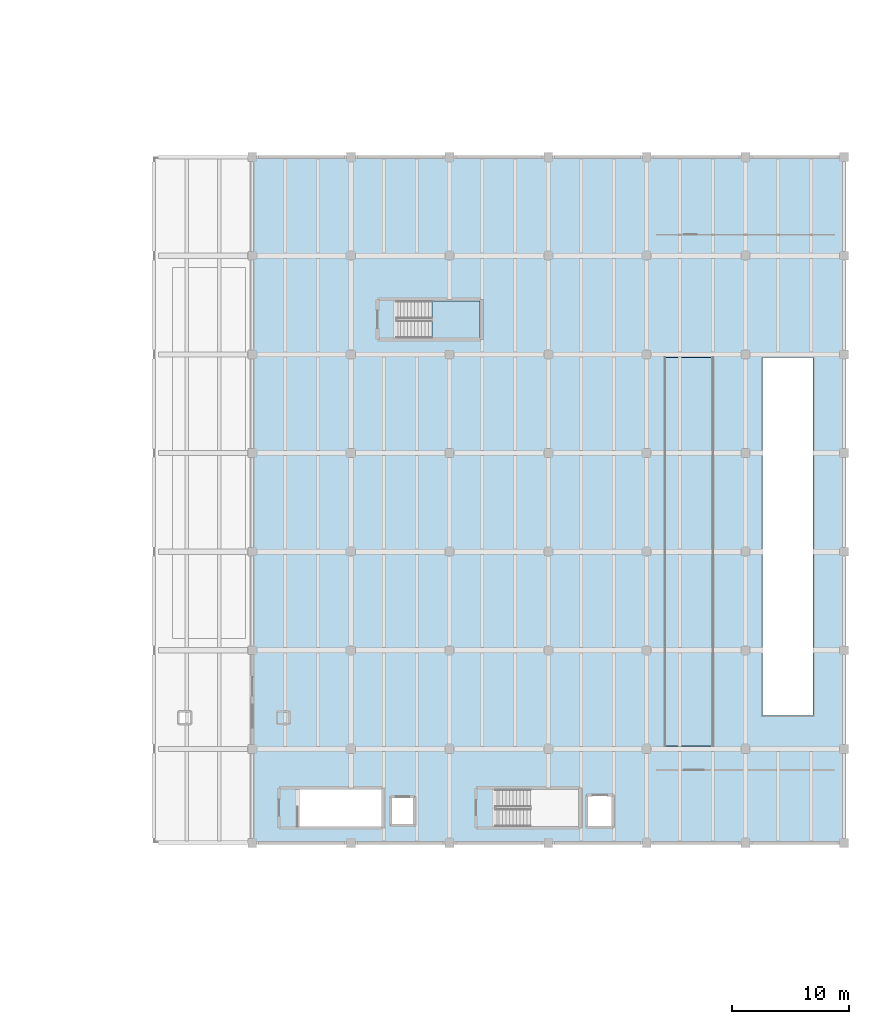
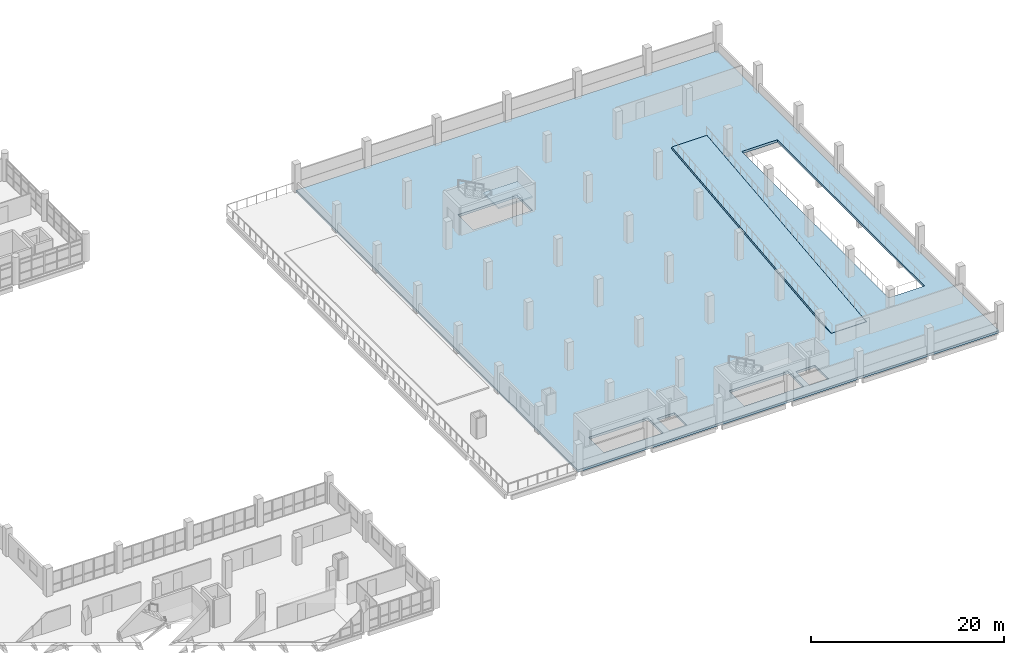
# One storey, part 73 of 95: 3 slabs, 1 element without a shape of its own.
"""IFC4 building model written with IfcOpenShell, lengths in metres."""

from ifc_helpers import new_model, si_unit, direction, frame, origin, place, context, subcontext, project, spatial, polyline, outline, extrude, material, layer, layer_set, type_object, element, aggregate, save


model = new_model("IFC4")

# Units and contexts
model_context = context("Model", 3, precision=1e-05, world=origin(), true_north=direction((0.0, 1.0)))
body_context = subcontext(model_context, "Body", "Model", "MODEL_VIEW")
ifc_project = project(units=[si_unit("LENGTHUNIT", "METRE"), si_unit("AREAUNIT", "SQUARE_METRE"), si_unit("VOLUMEUNIT", "CUBIC_METRE"), si_unit("PLANEANGLEUNIT", "RADIAN"), si_unit("MASSUNIT", "GRAM", prefix="KILO"), si_unit("THERMODYNAMICTEMPERATUREUNIT", "KELVIN"), si_unit("POWERUNIT", "WATT")], contexts=[model_context])

# Site, building, storey
site_placement = place(None, origin())
site = spatial("IfcSite", under=ifc_project, at=site_placement, CompositionType="ELEMENT")
building_placement = place(site_placement, origin())
building = spatial("IfcBuilding", under=site, at=building_placement, Name="Mavoryth Pier Ferry Terminal", CompositionType="ELEMENT")
storey_placement = place(building_placement, frame((0.0, 0.0, 9.60009765625)))
storey = spatial("IfcBuildingStorey", under=building, at=storey_placement, Name="L02", CompositionType="ELEMENT", Elevation=9.60009765625)

# Slab
ifc_material_1 = material(Name="Concrete C40/50", Category="concrete")
ifc_layer_1 = layer(ifc_material_1, 0.300048828125, Name="Concrete C40/50", Category="concrete")
ifc_layer_set_1 = layer_set([ifc_layer_1], Name="Concrete C40/50 - Slab-Floor-VehicleUpper-300")
slab_type_1 = type_object("IfcSlabType", Name="Slab-Floor-VehicleUpper-300", PredefinedType="FLOOR", material=ifc_layer_set_1)
slab_1_placement = place(storey_placement, frame((0.0, 0.0, -0.300048828125)))
element("IfcSlab", 1, at=slab_1_placement, inside=storey, type_object=slab_type_1, Name="Slab SLB-V4-L02", PredefinedType="FLOOR", context=body_context, shape_type="SweptSolid", body=[
    extrude(outline(polyline([(117.60009765625, 14.0), (168.0, 14.0), (168.0, 72.39990234375), (117.60009765625, 72.39990234375), (117.60009765625, 14.0)]), holes=[polyline([(121.5, 15.39990234375), (128.60009765625, 15.39990234375), (128.60009765625, 18.550048828125), (121.5, 18.550048828125), (121.5, 15.39990234375)]), polyline([(138.300048828125, 15.39990234375), (145.39990234375, 15.39990234375), (145.39990234375, 18.550048828125), (138.300048828125, 18.550048828125), (138.300048828125, 15.39990234375)]), polyline([(129.89990234375, 57.0), (137.0, 57.0), (137.0, 60.14990234375), (129.89990234375, 60.14990234375), (129.89990234375, 57.0)]), polyline([(129.35009765625, 15.449951171875), (131.449951171875, 15.449951171875), (131.449951171875, 17.949951171875), (129.35009765625, 17.949951171875), (129.35009765625, 15.449951171875)]), polyline([(146.050048828125, 15.300048828125), (148.35009765625, 15.300048828125), (148.35009765625, 18.10009765625), (146.050048828125, 18.10009765625), (146.050048828125, 15.300048828125)]), polyline([(161.06005859375, 24.85009765625), (165.340087890625, 24.85009765625), (165.340087890625, 55.35009765625), (161.06005859375, 55.35009765625), (161.06005859375, 24.85009765625)]), polyline([(152.659912109375, 22.25), (156.93994140625, 22.25), (156.93994140625, 24.85009765625), (152.659912109375, 24.85009765625), (152.659912109375, 22.25)])]), origin(), (0.0, 0.0, 1.0), 0.300048828125),
])

# Stair, slab
ifc_material_2 = material(Name="Concrete C35/45", Category="concrete")
stair_type = type_object("IfcStairType", Name="Stair-Core-W1500", PredefinedType="TWO_STRAIGHT_RUN_STAIR", material=ifc_material_2)
stair_placement = place(storey_placement, origin())
stair = element("IfcStair", 2, at=stair_placement, inside=storey, type_object=stair_type, Name="L02 Core C4C Stair", PredefinedType="TWO_STRAIGHT_RUN_STAIR")
ifc_layer_2 = layer(ifc_material_2, 0.199951171875, Name="Concrete C35/45", Category="concrete")
ifc_layer_set_2 = layer_set([ifc_layer_2], Name="Concrete C35/45 - Slab-Landing-RC-200")
slab_type_2 = type_object("IfcSlabType", Name="Slab-Landing-RC-200", PredefinedType="LANDING", material=ifc_layer_set_2)
slab_2_placement = place(storey_placement, frame((0.0, 0.0, 1.559814453125)))
slab_2 = element("IfcSlab", 3, at=slab_2_placement, type_object=slab_type_2, Name="ST10 landing 1", PredefinedType="LANDING", context=body_context, shape_type="SweptSolid", body=[
    extrude(outline(polyline([(132.89990234375, 57.0), (137.0, 57.0), (137.0, 60.14990234375), (132.89990234375, 60.14990234375), (132.89990234375, 57.0)])), origin(), (0.0, 0.0, 1.0), 0.2001953125),
])
aggregate(stair, [slab_2])

# Slab
ifc_layer_3 = layer(ifc_material_1, 0.280029296875, Name="Concrete C40/50", Category="concrete")
ifc_layer_set_3 = layer_set([ifc_layer_3], Name="Concrete C40/50 - Slab-Ramp-Vehicle-280")
slab_type_3 = type_object("IfcSlabType", Name="Slab-Ramp-Vehicle-280", PredefinedType="FLOOR", material=ifc_layer_set_3)
slab_3_placement = place(storey_placement, frame((152.699951171875, 22.260009765625, 0.0), z_axis=(0.0, -0.105811684722, 0.994386186236), x_axis=(1.0, 0.0, 0.0)))
element("IfcSlab", 4, at=slab_3_placement, inside=storey, type_object=slab_type_3, Name="Vehicle Ramp VR03 Structural Slab", PredefinedType="FLOOR", context=body_context, shape_type="SweptSolid", body=[
    extrude(outline(polyline([(0.0, 0.0), (4.199951171875, 0.0), (4.199951171875, 33.266831923952196), (0.0, 33.266831923952196), (0.0, 0.0)])), origin(), (0.0, 0.0, -1.0), 0.280029296875),
])

save(model, "model.ifc")
